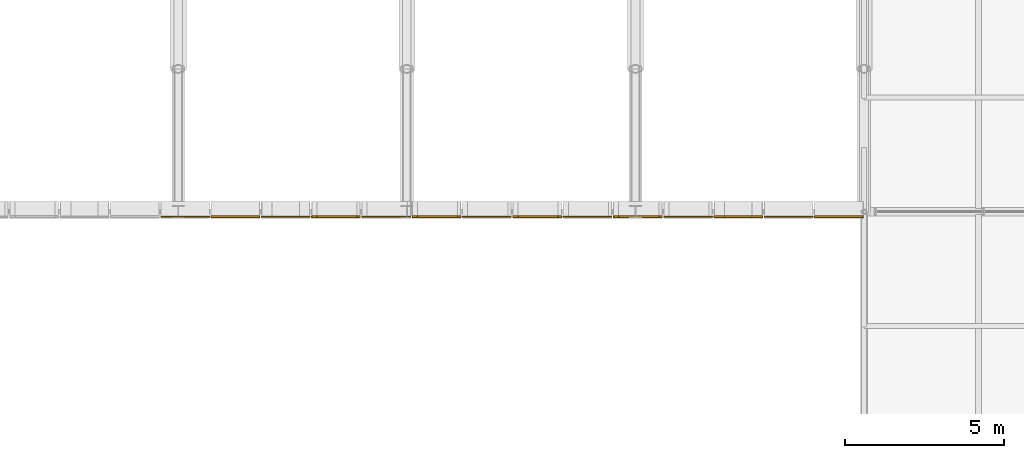
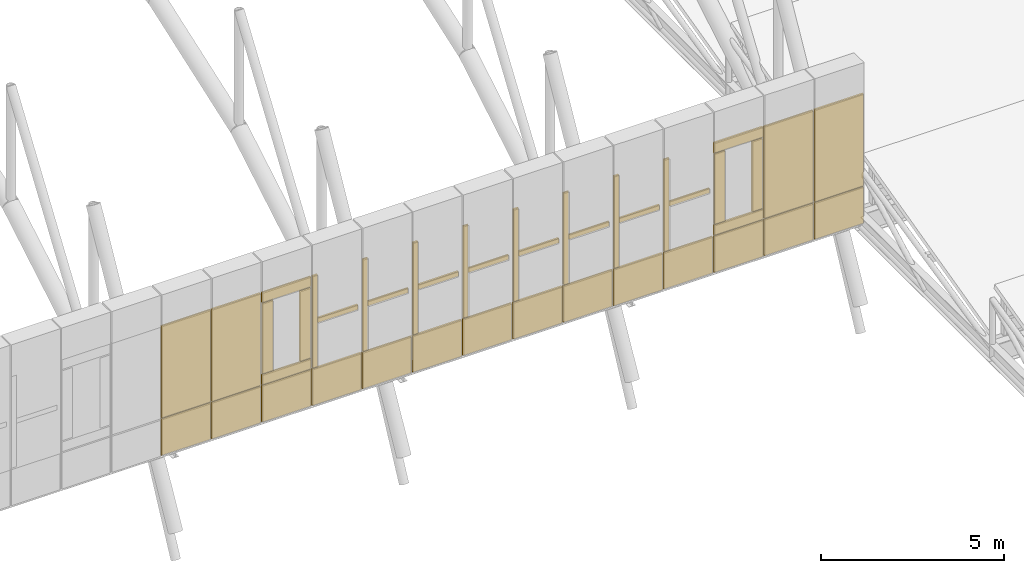
# One storey, part 134 of 144: 42 coverings.
"""IFC4 building model written with IfcOpenShell, lengths in metres."""

from ifc_helpers import new_model, si_unit, direction, frame, origin, origin_2d, place, context, subcontext, project, spatial, rectangle, extrude, material, layer, layer_set, type_object, element, save


model = new_model("IFC4")

# Units and contexts
model_context = context("Model", 3, precision=1e-05, world=origin(), true_north=direction((0.0, 1.0)))
body_context = subcontext(model_context, "Body", "Model", "MODEL_VIEW")
ifc_project = project(units=[si_unit("LENGTHUNIT", "METRE"), si_unit("AREAUNIT", "SQUARE_METRE"), si_unit("VOLUMEUNIT", "CUBIC_METRE"), si_unit("PLANEANGLEUNIT", "RADIAN"), si_unit("MASSUNIT", "GRAM", prefix="KILO")], contexts=[model_context])

# Site, building, storey
site_placement = place(None, origin())
site = spatial("IfcSite", under=ifc_project, at=site_placement, CompositionType="ELEMENT")
building_placement = place(site_placement, origin())
building = spatial("IfcBuilding", under=site, at=building_placement, Name="Yarey Park Central Fire Station", CompositionType="ELEMENT")
storey_placement = place(building_placement, frame((0.0, 0.0, 10.199951171875)))
storey = spatial("IfcBuildingStorey", under=building, at=storey_placement, Name="L03", CompositionType="ELEMENT", Elevation=10.199951171875)

# Coverings
ifc_material = material(Name="Perforated Powder-Coated Aluminium Cladding", Category="aluminium")
ifc_layer_1 = layer(ifc_material, 0.0419921875)
ifc_layer_set_1 = layer_set([ifc_layer_1], Name="Perforated Powder-Coated Aluminium Cladding")
covering_type_1 = type_object("IfcCoveringType", Name="ENV_COV_PERF_1", PredefinedType="CLADDING", material=ifc_layer_set_1)
covering_1_placement = place(storey_placement, frame((115.416015625, 57.43994140625, -0.43505859375), z_axis=(0.0, 0.0, 1.0), x_axis=(1.0, 0.0, 0.0)))
element("IfcCovering", 1, at=covering_1_placement, inside=storey, type_object=covering_type_1, Name="PERF_L03_1510", PredefinedType="CLADDING", context=body_context, shape_type="SweptSolid", body=[
    extrude(rectangle(XDim=1.5439453125, YDim=0.0419921875, at=origin_2d()), origin(), (0.0, 0.0, 1.0), 1.219970703125),
])
covering_2_placement = place(storey_placement, frame((115.416015625, 57.43994140625, 0.81494140625), z_axis=(0.0, 0.0, 1.0), x_axis=(1.0, 0.0, 0.0)))
element("IfcCovering", 2, at=covering_2_placement, inside=storey, type_object=covering_type_1, Name="PERF_L03_1511", PredefinedType="CLADDING", context=body_context, shape_type="SweptSolid", body=[
    extrude(rectangle(XDim=1.5439453125, YDim=0.0419921875, at=origin_2d()), origin(), (0.0, 0.0, 1.0), 3.070068359375),
])
covering_3_placement = place(storey_placement, frame((118.583984375, 57.43994140625, -0.43505859375), z_axis=(0.0, 0.0, 1.0), x_axis=(1.0, 0.0, 0.0)))
element("IfcCovering", 3, at=covering_3_placement, inside=storey, type_object=covering_type_1, Name="PERF_L03_1516", PredefinedType="CLADDING", context=body_context, shape_type="SweptSolid", body=[
    extrude(rectangle(XDim=1.5439453125, YDim=0.0419921875, at=origin_2d()), origin(), (0.0, 0.0, 1.0), 1.219970703125),
])
for number, where, z_axis, x_axis, name in (
    (4, (118.583984375, 57.43994140625, 0.81005859375), (0.0, 0.0, 1.0), (1.0, 0.0, 0.0), "PERF_L03_1517"),
    (5, (118.583984375, 57.43994140625, 3.5498046875), (0.0, 0.0, 1.0), (1.0, 0.0, 0.0), "PERF_L03_1518"),
):
    element("IfcCovering", number, at=place(storey_placement, frame(where, z_axis=z_axis, x_axis=x_axis)), inside=storey, type_object=covering_type_1, Name=name, PredefinedType="CLADDING", context=body_context, shape_type="SweptSolid", body=[
        extrude(rectangle(XDim=1.5439453125, YDim=0.0419921875, at=origin_2d()), origin(), (0.0, 0.0, 1.0), 0.340087890625),
    ])
for number, where, z_axis, x_axis, name in (
    (6, (117.991943359375, 57.43994140625, 1.175048828125), (0.0, 0.0, 1.0), (1.0, 0.0, 0.0), "PERF_L03_1519"),
    (7, (119.176025390625, 57.43994140625, 1.175048828125), (0.0, 0.0, 1.0), (1.0, 0.0, 0.0), "PERF_L03_1520"),
):
    element("IfcCovering", number, at=place(storey_placement, frame(where, z_axis=z_axis, x_axis=x_axis)), inside=storey, type_object=covering_type_1, Name=name, PredefinedType="CLADDING", context=body_context, shape_type="SweptSolid", body=[
        extrude(rectangle(XDim=0.340087890625, YDim=0.0419921875, at=origin_2d()), origin(), (0.0, 0.0, 1.0), 2.35009765625),
    ])
covering_4_placement = place(storey_placement, frame((121.751953125, 57.43994140625, -0.43505859375), z_axis=(0.0, 0.0, 1.0), x_axis=(1.0, 0.0, 0.0)))
element("IfcCovering", 8, at=covering_4_placement, inside=storey, type_object=covering_type_1, Name="PERF_L03_1526", PredefinedType="CLADDING", context=body_context, shape_type="SweptSolid", body=[
    extrude(rectangle(XDim=1.5439453125, YDim=0.0419921875, at=origin_2d()), origin(), (0.0, 0.0, 1.0), 1.219970703125),
])
covering_5_placement = place(storey_placement, frame((121.070068359375, 57.43994140625, 0.81494140625), z_axis=(0.0, 0.0, 1.0), x_axis=(1.0, 0.0, 0.0)))
element("IfcCovering", 9, at=covering_5_placement, inside=storey, type_object=covering_type_1, Name="PERF_L03_1527", PredefinedType="CLADDING", context=body_context, shape_type="SweptSolid", body=[
    extrude(rectangle(XDim=0.159912109375, YDim=0.0419921875, at=origin_2d()), origin(), (0.0, 0.0, 1.0), 3.070068359375),
])
covering_6_placement = place(storey_placement, frame((121.751953125, 57.43994140625, 2.27001953125), z_axis=(0.0, 0.0, 1.0), x_axis=(1.0, 0.0, 0.0)))
element("IfcCovering", 10, at=covering_6_placement, inside=storey, type_object=covering_type_1, Name="PERF_L03_1528", PredefinedType="CLADDING", context=body_context, shape_type="SweptSolid", body=[
    extrude(rectangle(XDim=1.343994140625, YDim=0.0419921875, at=origin_2d()), origin(), (0.0, 0.0, 1.0), 0.159912109375),
])
covering_7_placement = place(storey_placement, frame((124.919921875, 57.43994140625, -0.43505859375), z_axis=(0.0, 0.0, 1.0), x_axis=(1.0, 0.0, 0.0)))
element("IfcCovering", 11, at=covering_7_placement, inside=storey, type_object=covering_type_1, Name="PERF_L03_1534", PredefinedType="CLADDING", context=body_context, shape_type="SweptSolid", body=[
    extrude(rectangle(XDim=1.5439453125, YDim=0.0419921875, at=origin_2d()), origin(), (0.0, 0.0, 1.0), 1.219970703125),
])
covering_8_placement = place(storey_placement, frame((124.238037109375, 57.43994140625, 0.81494140625), z_axis=(0.0, 0.0, 1.0), x_axis=(1.0, 0.0, 0.0)))
element("IfcCovering", 12, at=covering_8_placement, inside=storey, type_object=covering_type_1, Name="PERF_L03_1535", PredefinedType="CLADDING", context=body_context, shape_type="SweptSolid", body=[
    extrude(rectangle(XDim=0.159912109375, YDim=0.0419921875, at=origin_2d()), origin(), (0.0, 0.0, 1.0), 3.070068359375),
])
covering_9_placement = place(storey_placement, frame((124.919921875, 57.43994140625, 2.27001953125), z_axis=(0.0, 0.0, 1.0), x_axis=(1.0, 0.0, 0.0)))
element("IfcCovering", 13, at=covering_9_placement, inside=storey, type_object=covering_type_1, Name="PERF_L03_1536", PredefinedType="CLADDING", context=body_context, shape_type="SweptSolid", body=[
    extrude(rectangle(XDim=1.343994140625, YDim=0.0419921875, at=origin_2d()), origin(), (0.0, 0.0, 1.0), 0.159912109375),
])
covering_10_placement = place(storey_placement, frame((128.087890625, 57.43994140625, -0.43505859375), z_axis=(0.0, 0.0, 1.0), x_axis=(1.0, 0.0, 0.0)))
element("IfcCovering", 14, at=covering_10_placement, inside=storey, type_object=covering_type_1, Name="PERF_L03_1542", PredefinedType="CLADDING", context=body_context, shape_type="SweptSolid", body=[
    extrude(rectangle(XDim=1.5439453125, YDim=0.0419921875, at=origin_2d()), origin(), (0.0, 0.0, 1.0), 1.219970703125),
])
covering_11_placement = place(storey_placement, frame((127.406005859375, 57.43994140625, 0.81494140625), z_axis=(0.0, 0.0, 1.0), x_axis=(1.0, 0.0, 0.0)))
element("IfcCovering", 15, at=covering_11_placement, inside=storey, type_object=covering_type_1, Name="PERF_L03_1543", PredefinedType="CLADDING", context=body_context, shape_type="SweptSolid", body=[
    extrude(rectangle(XDim=0.159912109375, YDim=0.0419921875, at=origin_2d()), origin(), (0.0, 0.0, 1.0), 3.070068359375),
])
covering_12_placement = place(storey_placement, frame((128.087890625, 57.43994140625, 2.27001953125), z_axis=(0.0, 0.0, 1.0), x_axis=(1.0, 0.0, 0.0)))
element("IfcCovering", 16, at=covering_12_placement, inside=storey, type_object=covering_type_1, Name="PERF_L03_1544", PredefinedType="CLADDING", context=body_context, shape_type="SweptSolid", body=[
    extrude(rectangle(XDim=1.343994140625, YDim=0.0419921875, at=origin_2d()), origin(), (0.0, 0.0, 1.0), 0.159912109375),
])
covering_13_placement = place(storey_placement, frame((131.256103515625, 57.43994140625, -0.43505859375), z_axis=(0.0, 0.0, 1.0), x_axis=(1.0, 0.0, 0.0)))
element("IfcCovering", 17, at=covering_13_placement, inside=storey, type_object=covering_type_1, Name="PERF_L03_1550", PredefinedType="CLADDING", context=body_context, shape_type="SweptSolid", body=[
    extrude(rectangle(XDim=1.5439453125, YDim=0.0419921875, at=origin_2d()), origin(), (0.0, 0.0, 1.0), 1.219970703125),
])
covering_14_placement = place(storey_placement, frame((130.573974609375, 57.43994140625, 0.81494140625), z_axis=(0.0, 0.0, 1.0), x_axis=(1.0, 0.0, 0.0)))
element("IfcCovering", 18, at=covering_14_placement, inside=storey, type_object=covering_type_1, Name="PERF_L03_1551", PredefinedType="CLADDING", context=body_context, shape_type="SweptSolid", body=[
    extrude(rectangle(XDim=0.159912109375, YDim=0.0419921875, at=origin_2d()), origin(), (0.0, 0.0, 1.0), 3.070068359375),
])
covering_15_placement = place(storey_placement, frame((131.256103515625, 57.43994140625, 2.27001953125), z_axis=(0.0, 0.0, 1.0), x_axis=(1.0, 0.0, 0.0)))
element("IfcCovering", 19, at=covering_15_placement, inside=storey, type_object=covering_type_1, Name="PERF_L03_1552", PredefinedType="CLADDING", context=body_context, shape_type="SweptSolid", body=[
    extrude(rectangle(XDim=1.343994140625, YDim=0.0419921875, at=origin_2d()), origin(), (0.0, 0.0, 1.0), 0.159912109375),
])
covering_16_placement = place(storey_placement, frame((134.424072265625, 57.43994140625, -0.43505859375), z_axis=(0.0, 0.0, 1.0), x_axis=(1.0, 0.0, 0.0)))
element("IfcCovering", 20, at=covering_16_placement, inside=storey, type_object=covering_type_1, Name="PERF_L03_1560", PredefinedType="CLADDING", context=body_context, shape_type="SweptSolid", body=[
    extrude(rectangle(XDim=1.5439453125, YDim=0.0419921875, at=origin_2d()), origin(), (0.0, 0.0, 1.0), 1.219970703125),
])
covering_17_placement = place(storey_placement, frame((134.424072265625, 57.43994140625, 0.81494140625), z_axis=(0.0, 0.0, 1.0), x_axis=(1.0, 0.0, 0.0)))
element("IfcCovering", 21, at=covering_17_placement, inside=storey, type_object=covering_type_1, Name="PERF_L03_1561", PredefinedType="CLADDING", context=body_context, shape_type="SweptSolid", body=[
    extrude(rectangle(XDim=1.5439453125, YDim=0.0419921875, at=origin_2d()), origin(), (0.0, 0.0, 1.0), 3.070068359375),
])
ifc_layer_2 = layer(ifc_material, 0.053955078125)
ifc_layer_set_2 = layer_set([ifc_layer_2], Name="Perforated Powder-Coated Aluminium Cladding")
covering_type_2 = type_object("IfcCoveringType", Name="ENV_COV_PERF_2", PredefinedType="CLADDING", material=ifc_layer_set_2)
covering_18_placement = place(storey_placement, frame((117.0, 57.43994140625, -0.43505859375), z_axis=(0.0, 0.0, 1.0), x_axis=(1.0, 0.0, 0.0)))
element("IfcCovering", 22, at=covering_18_placement, inside=storey, type_object=covering_type_2, Name="PERF_L03_1513", PredefinedType="CLADDING", context=body_context, shape_type="SweptSolid", body=[
    extrude(rectangle(XDim=1.5439453125, YDim=0.053955078125, at=origin_2d()), origin(), (0.0, 0.0, 1.0), 1.219970703125),
])
covering_19_placement = place(storey_placement, frame((117.0, 57.43994140625, 0.81494140625), z_axis=(0.0, 0.0, 1.0), x_axis=(1.0, 0.0, 0.0)))
element("IfcCovering", 23, at=covering_19_placement, inside=storey, type_object=covering_type_2, Name="PERF_L03_1514", PredefinedType="CLADDING", context=body_context, shape_type="SweptSolid", body=[
    extrude(rectangle(XDim=1.5439453125, YDim=0.053955078125, at=origin_2d()), origin(), (0.0, 0.0, 1.0), 3.070068359375),
])
covering_20_placement = place(storey_placement, frame((120.16796875, 57.43994140625, -0.43505859375), z_axis=(0.0, 0.0, 1.0), x_axis=(1.0, 0.0, 0.0)))
element("IfcCovering", 24, at=covering_20_placement, inside=storey, type_object=covering_type_2, Name="PERF_L03_1522", PredefinedType="CLADDING", context=body_context, shape_type="SweptSolid", body=[
    extrude(rectangle(XDim=1.5439453125, YDim=0.053955078125, at=origin_2d()), origin(), (0.0, 0.0, 1.0), 1.219970703125),
])
covering_21_placement = place(storey_placement, frame((119.486083984375, 57.43994140625, 0.81494140625), z_axis=(0.0, 0.0, 1.0), x_axis=(1.0, 0.0, 0.0)))
element("IfcCovering", 25, at=covering_21_placement, inside=storey, type_object=covering_type_2, Name="PERF_L03_1523", PredefinedType="CLADDING", context=body_context, shape_type="SweptSolid", body=[
    extrude(rectangle(XDim=0.159912109375, YDim=0.053955078125, at=origin_2d()), origin(), (0.0, 0.0, 1.0), 3.070068359375),
])
covering_22_placement = place(storey_placement, frame((120.16796875, 57.43994140625, 2.27001953125), z_axis=(0.0, 0.0, 1.0), x_axis=(1.0, 0.0, 0.0)))
element("IfcCovering", 26, at=covering_22_placement, inside=storey, type_object=covering_type_2, Name="PERF_L03_1524", PredefinedType="CLADDING", context=body_context, shape_type="SweptSolid", body=[
    extrude(rectangle(XDim=1.343994140625, YDim=0.053955078125, at=origin_2d()), origin(), (0.0, 0.0, 1.0), 0.159912109375),
])
covering_23_placement = place(storey_placement, frame((123.3359375, 57.43994140625, -0.43505859375), z_axis=(0.0, 0.0, 1.0), x_axis=(1.0, 0.0, 0.0)))
element("IfcCovering", 27, at=covering_23_placement, inside=storey, type_object=covering_type_2, Name="PERF_L03_1530", PredefinedType="CLADDING", context=body_context, shape_type="SweptSolid", body=[
    extrude(rectangle(XDim=1.5439453125, YDim=0.053955078125, at=origin_2d()), origin(), (0.0, 0.0, 1.0), 1.219970703125),
])
covering_24_placement = place(storey_placement, frame((122.654052734375, 57.43994140625, 0.81494140625), z_axis=(0.0, 0.0, 1.0), x_axis=(1.0, 0.0, 0.0)))
element("IfcCovering", 28, at=covering_24_placement, inside=storey, type_object=covering_type_2, Name="PERF_L03_1531", PredefinedType="CLADDING", context=body_context, shape_type="SweptSolid", body=[
    extrude(rectangle(XDim=0.159912109375, YDim=0.053955078125, at=origin_2d()), origin(), (0.0, 0.0, 1.0), 3.070068359375),
])
covering_25_placement = place(storey_placement, frame((123.3359375, 57.43994140625, 2.27001953125), z_axis=(0.0, 0.0, 1.0), x_axis=(1.0, 0.0, 0.0)))
element("IfcCovering", 29, at=covering_25_placement, inside=storey, type_object=covering_type_2, Name="PERF_L03_1532", PredefinedType="CLADDING", context=body_context, shape_type="SweptSolid", body=[
    extrude(rectangle(XDim=1.343994140625, YDim=0.053955078125, at=origin_2d()), origin(), (0.0, 0.0, 1.0), 0.159912109375),
])
covering_26_placement = place(storey_placement, frame((126.50390625, 57.43994140625, -0.43505859375), z_axis=(0.0, 0.0, 1.0), x_axis=(1.0, 0.0, 0.0)))
element("IfcCovering", 30, at=covering_26_placement, inside=storey, type_object=covering_type_2, Name="PERF_L03_1538", PredefinedType="CLADDING", context=body_context, shape_type="SweptSolid", body=[
    extrude(rectangle(XDim=1.5439453125, YDim=0.053955078125, at=origin_2d()), origin(), (0.0, 0.0, 1.0), 1.219970703125),
])
covering_27_placement = place(storey_placement, frame((125.822021484375, 57.43994140625, 0.81494140625), z_axis=(0.0, 0.0, 1.0), x_axis=(1.0, 0.0, 0.0)))
element("IfcCovering", 31, at=covering_27_placement, inside=storey, type_object=covering_type_2, Name="PERF_L03_1539", PredefinedType="CLADDING", context=body_context, shape_type="SweptSolid", body=[
    extrude(rectangle(XDim=0.159912109375, YDim=0.053955078125, at=origin_2d()), origin(), (0.0, 0.0, 1.0), 3.070068359375),
])
covering_28_placement = place(storey_placement, frame((126.50390625, 57.43994140625, 2.27001953125), z_axis=(0.0, 0.0, 1.0), x_axis=(1.0, 0.0, 0.0)))
element("IfcCovering", 32, at=covering_28_placement, inside=storey, type_object=covering_type_2, Name="PERF_L03_1540", PredefinedType="CLADDING", context=body_context, shape_type="SweptSolid", body=[
    extrude(rectangle(XDim=1.343994140625, YDim=0.053955078125, at=origin_2d()), origin(), (0.0, 0.0, 1.0), 0.159912109375),
])
covering_29_placement = place(storey_placement, frame((129.672119140625, 57.43994140625, -0.43505859375), z_axis=(0.0, 0.0, 1.0), x_axis=(1.0, 0.0, 0.0)))
element("IfcCovering", 33, at=covering_29_placement, inside=storey, type_object=covering_type_2, Name="PERF_L03_1546", PredefinedType="CLADDING", context=body_context, shape_type="SweptSolid", body=[
    extrude(rectangle(XDim=1.5439453125, YDim=0.053955078125, at=origin_2d()), origin(), (0.0, 0.0, 1.0), 1.219970703125),
])
covering_30_placement = place(storey_placement, frame((128.989990234375, 57.43994140625, 0.81494140625), z_axis=(0.0, 0.0, 1.0), x_axis=(1.0, 0.0, 0.0)))
element("IfcCovering", 34, at=covering_30_placement, inside=storey, type_object=covering_type_2, Name="PERF_L03_1547", PredefinedType="CLADDING", context=body_context, shape_type="SweptSolid", body=[
    extrude(rectangle(XDim=0.159912109375, YDim=0.053955078125, at=origin_2d()), origin(), (0.0, 0.0, 1.0), 3.070068359375),
])
covering_31_placement = place(storey_placement, frame((129.672119140625, 57.43994140625, 2.27001953125), z_axis=(0.0, 0.0, 1.0), x_axis=(1.0, 0.0, 0.0)))
element("IfcCovering", 35, at=covering_31_placement, inside=storey, type_object=covering_type_2, Name="PERF_L03_1548", PredefinedType="CLADDING", context=body_context, shape_type="SweptSolid", body=[
    extrude(rectangle(XDim=1.343994140625, YDim=0.053955078125, at=origin_2d()), origin(), (0.0, 0.0, 1.0), 0.159912109375),
])
covering_32_placement = place(storey_placement, frame((132.840087890625, 57.43994140625, -0.43505859375), z_axis=(0.0, 0.0, 1.0), x_axis=(1.0, 0.0, 0.0)))
element("IfcCovering", 36, at=covering_32_placement, inside=storey, type_object=covering_type_2, Name="PERF_L03_1554", PredefinedType="CLADDING", context=body_context, shape_type="SweptSolid", body=[
    extrude(rectangle(XDim=1.5439453125, YDim=0.053955078125, at=origin_2d()), origin(), (0.0, 0.0, 1.0), 1.219970703125),
])
for number, where, z_axis, x_axis, name in (
    (37, (132.840087890625, 57.43994140625, 0.81005859375), (0.0, 0.0, 1.0), (1.0, 0.0, 0.0), "PERF_L03_1555"),
    (38, (132.840087890625, 57.43994140625, 3.5498046875), (0.0, 0.0, 1.0), (1.0, 0.0, 0.0), "PERF_L03_1556"),
):
    element("IfcCovering", number, at=place(storey_placement, frame(where, z_axis=z_axis, x_axis=x_axis)), inside=storey, type_object=covering_type_2, Name=name, PredefinedType="CLADDING", context=body_context, shape_type="SweptSolid", body=[
        extrude(rectangle(XDim=1.5439453125, YDim=0.053955078125, at=origin_2d()), origin(), (0.0, 0.0, 1.0), 0.340087890625),
    ])
for number, where, z_axis, x_axis, name in (
    (39, (132.248046875, 57.43994140625, 1.175048828125), (0.0, 0.0, 1.0), (1.0, 0.0, 0.0), "PERF_L03_1557"),
    (40, (133.431884765625, 57.43994140625, 1.175048828125), (0.0, 0.0, 1.0), (1.0, 0.0, 0.0), "PERF_L03_1558"),
):
    element("IfcCovering", number, at=place(storey_placement, frame(where, z_axis=z_axis, x_axis=x_axis)), inside=storey, type_object=covering_type_2, Name=name, PredefinedType="CLADDING", context=body_context, shape_type="SweptSolid", body=[
        extrude(rectangle(XDim=0.340087890625, YDim=0.053955078125, at=origin_2d()), origin(), (0.0, 0.0, 1.0), 2.35009765625),
    ])
covering_33_placement = place(storey_placement, frame((136.008056640625, 57.43994140625, -0.43505859375), z_axis=(0.0, 0.0, 1.0), x_axis=(1.0, 0.0, 0.0)))
element("IfcCovering", 41, at=covering_33_placement, inside=storey, type_object=covering_type_2, Name="PERF_L03_1563", PredefinedType="CLADDING", context=body_context, shape_type="SweptSolid", body=[
    extrude(rectangle(XDim=1.5439453125, YDim=0.053955078125, at=origin_2d()), origin(), (0.0, 0.0, 1.0), 1.219970703125),
])
covering_34_placement = place(storey_placement, frame((136.008056640625, 57.43994140625, 0.81494140625), z_axis=(0.0, 0.0, 1.0), x_axis=(1.0, 0.0, 0.0)))
element("IfcCovering", 42, at=covering_34_placement, inside=storey, type_object=covering_type_2, Name="PERF_L03_1564", PredefinedType="CLADDING", context=body_context, shape_type="SweptSolid", body=[
    extrude(rectangle(XDim=1.5439453125, YDim=0.053955078125, at=origin_2d()), origin(), (0.0, 0.0, 1.0), 3.070068359375),
])

save(model, "model.ifc")
